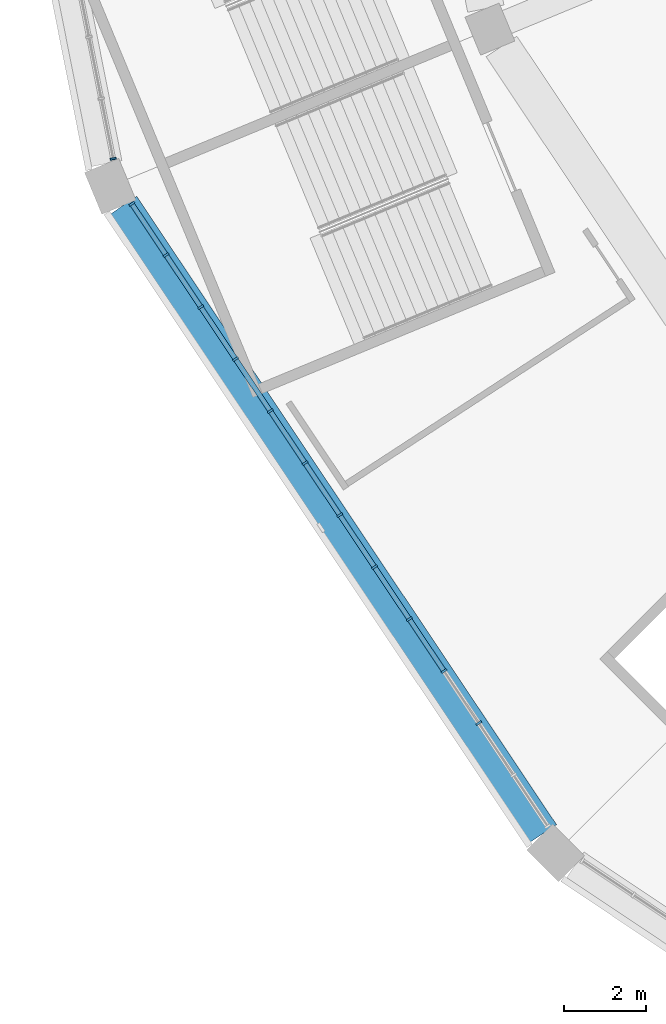
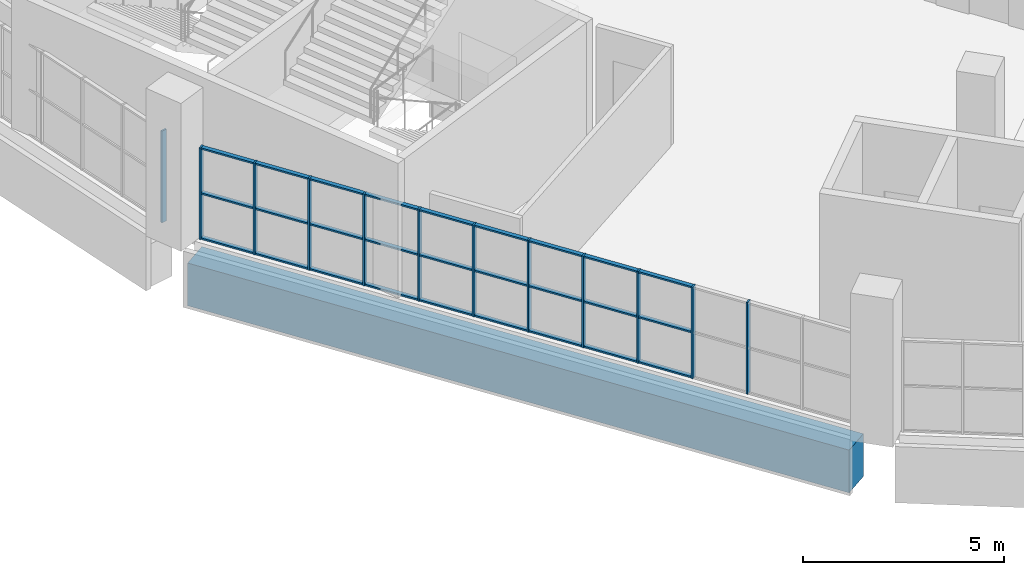
# One storey, part 3 of 199: 39 members, 1 beam, 2 elements without a shape of their own.
"""IFC4 building model written with IfcOpenShell, lengths in metres."""

from ifc_helpers import new_model, si_unit, direction, frame, origin, origin_2d, place, context, subcontext, project, spatial, rectangle, extrude, material, material_profile, profile_set, type_object, element, aggregate, save


model = new_model("IFC4")

# Units and contexts
model_context = context("Model", 3, precision=1e-05, world=origin(), true_north=direction((0.0, 1.0)))
body_context = subcontext(model_context, "Body", "Model", "MODEL_VIEW")
ifc_project = project(units=[si_unit("LENGTHUNIT", "METRE"), si_unit("AREAUNIT", "SQUARE_METRE"), si_unit("VOLUMEUNIT", "CUBIC_METRE"), si_unit("PLANEANGLEUNIT", "RADIAN"), si_unit("MASSUNIT", "GRAM", prefix="KILO")], contexts=[model_context])

# Site, building, storey
site_placement = place(None, origin())
site = spatial("IfcSite", under=ifc_project, at=site_placement, CompositionType="ELEMENT")
building_placement = place(site_placement, origin())
building = spatial("IfcBuilding", under=site, at=building_placement, Name="Ogive Plaza Stadium", CompositionType="ELEMENT")
storey_placement = place(building_placement, frame((0.0, 0.0, 4.5)))
storey = spatial("IfcBuildingStorey", under=building, at=storey_placement, Name="L01", CompositionType="ELEMENT", Elevation=4.5)

# Curtain wall, members
ifc_material_1 = material(Name="Bronze-anodised aluminium with laminated glass", Category="aluminium")
curtain_wall_type = type_object("IfcCurtainWallType", Name="Lancet curtain wall", PredefinedType="NOTDEFINED", material=ifc_material_1)
curtain_wall_1_placement = place(storey_placement, origin())
curtain_wall_1 = element("IfcCurtainWall", 1, at=curtain_wall_1_placement, inside=storey, type_object=curtain_wall_type, Name="CURTAIN WALL B19 L01", PredefinedType="NOTDEFINED")
ifc_material_2 = material(Name="Bronze-anodised aluminium", Category="aluminium")
ifc_material_profile_1 = material_profile(ifc_material_2, rectangle(XDim=0.14990234375, YDim=0.050048828125, at=origin_2d()), Name="AL 150x50")
ifc_profile_set_1 = profile_set([ifc_material_profile_1], Name="Bronze-anodised aluminium")
member_type_1 = type_object("IfcMemberType", Name="Curtain wall mullion 50x150", PredefinedType="MULLION", material=ifc_profile_set_1)
member_1_placement = place(storey_placement, frame((-71.225341796875, -84.69677734375, 0.0), z_axis=(0.0, 0.0, 1.0), x_axis=(-0.831469612303, -0.55557023302, 0.0)))
member_1 = element("IfcMember", 2, at=member_1_placement, type_object=member_type_1, Name="CW-B19-L01 mullion 3", PredefinedType="MULLION", context=body_context, shape_type="SweptSolid", body=[
    extrude(rectangle(XDim=0.14990234375, YDim=0.050048828125, at=origin_2d()), origin(), (0.0, 0.0, 1.0), 2.7900390625),
])
member_2_placement = place(storey_placement, frame((-72.071044921875, -83.430908203125, 0.0), z_axis=(0.0, 0.0, 1.0), x_axis=(-0.831469612303, -0.55557023302, 0.0)))
member_2 = element("IfcMember", 3, at=member_2_placement, type_object=member_type_1, Name="CW-B19-L01 mullion 4", PredefinedType="MULLION", context=body_context, shape_type="SweptSolid", body=[
    extrude(rectangle(XDim=0.14990234375, YDim=0.050048828125, at=origin_2d()), origin(), (0.0, 0.0, 1.0), 2.7900390625),
])
member_3_placement = place(storey_placement, frame((-72.916748046875, -82.165283203125, 0.0), z_axis=(0.0, 0.0, 1.0), x_axis=(-0.831469612303, -0.55557023302, 0.0)))
member_3 = element("IfcMember", 4, at=member_3_placement, type_object=member_type_1, Name="CW-B19-L01 mullion 5", PredefinedType="MULLION", context=body_context, shape_type="SweptSolid", body=[
    extrude(rectangle(XDim=0.14990234375, YDim=0.050048828125, at=origin_2d()), origin(), (0.0, 0.0, 1.0), 2.7900390625),
])
member_4_placement = place(storey_placement, frame((-73.7626953125, -80.8994140625, 0.0), z_axis=(0.0, 0.0, 1.0), x_axis=(-0.831469612303, -0.55557023302, 0.0)))
member_4 = element("IfcMember", 5, at=member_4_placement, type_object=member_type_1, Name="CW-B19-L01 mullion 6", PredefinedType="MULLION", context=body_context, shape_type="SweptSolid", body=[
    extrude(rectangle(XDim=0.14990234375, YDim=0.050048828125, at=origin_2d()), origin(), (0.0, 0.0, 1.0), 2.7900390625),
])
member_5_placement = place(storey_placement, frame((-74.6083984375, -79.633544921875, 0.0), z_axis=(0.0, 0.0, 1.0), x_axis=(-0.831469612303, -0.55557023302, 0.0)))
member_5 = element("IfcMember", 6, at=member_5_placement, type_object=member_type_1, Name="CW-B19-L01 mullion 7", PredefinedType="MULLION", context=body_context, shape_type="SweptSolid", body=[
    extrude(rectangle(XDim=0.14990234375, YDim=0.050048828125, at=origin_2d()), origin(), (0.0, 0.0, 1.0), 2.7900390625),
])
member_6_placement = place(storey_placement, frame((-75.4541015625, -78.367919921875, 0.0), z_axis=(0.0, 0.0, 1.0), x_axis=(-0.831469612303, -0.55557023302, 0.0)))
member_6 = element("IfcMember", 7, at=member_6_placement, type_object=member_type_1, Name="CW-B19-L01 mullion 8", PredefinedType="MULLION", context=body_context, shape_type="SweptSolid", body=[
    extrude(rectangle(XDim=0.14990234375, YDim=0.050048828125, at=origin_2d()), origin(), (0.0, 0.0, 1.0), 2.7900390625),
])
member_7_placement = place(storey_placement, frame((-76.2998046875, -77.10205078125, 0.0), z_axis=(0.0, 0.0, 1.0), x_axis=(-0.831469612303, -0.55557023302, 0.0)))
member_7 = element("IfcMember", 8, at=member_7_placement, type_object=member_type_1, Name="CW-B19-L01 mullion 9", PredefinedType="MULLION", context=body_context, shape_type="SweptSolid", body=[
    extrude(rectangle(XDim=0.14990234375, YDim=0.050048828125, at=origin_2d()), origin(), (0.0, 0.0, 1.0), 2.7900390625),
])
member_8_placement = place(storey_placement, frame((-77.145751953125, -75.836181640625, 0.0), z_axis=(0.0, 0.0, 1.0), x_axis=(-0.831469612303, -0.55557023302, 0.0)))
member_8 = element("IfcMember", 9, at=member_8_placement, type_object=member_type_1, Name="CW-B19-L01 mullion 10", PredefinedType="MULLION", context=body_context, shape_type="SweptSolid", body=[
    extrude(rectangle(XDim=0.14990234375, YDim=0.050048828125, at=origin_2d()), origin(), (0.0, 0.0, 1.0), 2.7900390625),
])
member_9_placement = place(storey_placement, frame((-77.991455078125, -74.570556640625, 0.0), z_axis=(0.0, 0.0, 1.0), x_axis=(-0.831469612303, -0.55557023302, 0.0)))
member_9 = element("IfcMember", 10, at=member_9_placement, type_object=member_type_1, Name="CW-B19-L01 mullion 11", PredefinedType="MULLION", context=body_context, shape_type="SweptSolid", body=[
    extrude(rectangle(XDim=0.14990234375, YDim=0.050048828125, at=origin_2d()), origin(), (0.0, 0.0, 1.0), 2.7900390625),
])
member_10_placement = place(storey_placement, frame((-78.837158203125, -73.3046875, 0.0), z_axis=(0.0, 0.0, 1.0), x_axis=(-0.831469612303, -0.55557023302, 0.0)))
member_10 = element("IfcMember", 11, at=member_10_placement, type_object=member_type_1, Name="CW-B19-L01 mullion 12", PredefinedType="MULLION", context=body_context, shape_type="SweptSolid", body=[
    extrude(rectangle(XDim=0.14990234375, YDim=0.050048828125, at=origin_2d()), origin(), (0.0, 0.0, 1.0), 2.7900390625),
])
member_11_placement = place(storey_placement, frame((-79.669189453125, -72.059814453125, 0.0), z_axis=(0.0, 0.0, 1.0), x_axis=(-0.831469612303, -0.55557023302, 0.0)))
member_11 = element("IfcMember", 12, at=member_11_placement, type_object=member_type_1, Name="CW-B19-L01 mullion 13", PredefinedType="MULLION", context=body_context, shape_type="SweptSolid", body=[
    extrude(rectangle(XDim=0.14990234375, YDim=0.050048828125, at=origin_2d()), origin(), (0.0, 0.0, 1.0), 2.7900390625),
])

# Curtain wall, member
curtain_wall_2_placement = place(storey_placement, origin())
curtain_wall_2 = element("IfcCurtainWall", 13, at=curtain_wall_2_placement, inside=storey, type_object=curtain_wall_type, Name="CURTAIN WALL B20 L01", PredefinedType="NOTDEFINED")
member_12_placement = place(storey_placement, frame((-80.123779296875, -70.962158203125, 0.0), z_axis=(0.0, 0.0, 1.0), x_axis=(-0.9807852804, -0.195090322033, 0.0)))
member_12 = element("IfcMember", 14, at=member_12_placement, type_object=member_type_1, Name="CW-B20-L01 mullion 1", PredefinedType="MULLION", context=body_context, shape_type="SweptSolid", body=[
    extrude(rectangle(XDim=0.14990234375, YDim=0.050048828125, at=origin_2d()), origin(), (0.0, 0.0, 1.0), 2.7900390625),
])
aggregate(curtain_wall_2, [member_12])

# Member
ifc_material_3 = material(Name="Bronze-anodised aluminium", Category="aluminium")
ifc_material_profile_2 = material_profile(ifc_material_3, rectangle(XDim=0.1201171875, YDim=0.050048828125, at=origin_2d()), Name="AL 120x50")
ifc_profile_set_2 = profile_set([ifc_material_profile_2], Name="Bronze-anodised aluminium")
member_type_2 = type_object("IfcMemberType", Name="Curtain wall transom 50x120", PredefinedType="USERDEFINED", material=ifc_profile_set_2)
member_13_placement = place(storey_placement, frame((-72.0849609375, -83.41015625, 0.02490234375), z_axis=(-0.555541835587, 0.831488586159, 0.0), x_axis=(-0.831488586159, -0.555541835587, 0.0)))
member_13 = element("IfcMember", 15, at=member_13_placement, type_object=member_type_2, Name="CW-B19-L01 transom 4.1", ObjectType="TRANSOM", PredefinedType="USERDEFINED", context=body_context, shape_type="SweptSolid", body=[
    extrude(rectangle(XDim=0.1201171875, YDim=0.050048828125, at=origin_2d()), origin(), (0.0, 0.0, 1.0), 1.47216796875),
])

member_14_placement = place(storey_placement, frame((-72.0849609375, -83.41015625, 1.39501953125), z_axis=(-0.555541835587, 0.831488586159, 0.0), x_axis=(-0.831488586159, -0.555541835587, 0.0)))
member_14 = element("IfcMember", 16, at=member_14_placement, type_object=member_type_2, Name="CW-B19-L01 transom 4.2", ObjectType="TRANSOM", PredefinedType="USERDEFINED", context=body_context, shape_type="SweptSolid", body=[
    extrude(rectangle(XDim=0.1201171875, YDim=0.050048828125, at=origin_2d()), origin(), (0.0, 0.0, 1.0), 1.47216796875),
])

member_15_placement = place(storey_placement, frame((-72.0849609375, -83.41015625, 2.764892578125), z_axis=(-0.555541835587, 0.831488586159, 0.0), x_axis=(-0.831488586159, -0.555541835587, 0.0)))
member_15 = element("IfcMember", 17, at=member_15_placement, type_object=member_type_2, Name="CW-B19-L01 transom 4.3", ObjectType="TRANSOM", PredefinedType="USERDEFINED", context=body_context, shape_type="SweptSolid", body=[
    extrude(rectangle(XDim=0.1201171875, YDim=0.050048828125, at=origin_2d()), origin(), (0.0, 0.0, 1.0), 1.47216796875),
])

member_16_placement = place(storey_placement, frame((-72.9306640625, -82.14453125, 0.02490234375), z_axis=(-0.555579876157, 0.831463168883, 0.0), x_axis=(-0.831463168883, -0.555579876157, 0.0)))
member_16 = element("IfcMember", 18, at=member_16_placement, type_object=member_type_2, Name="CW-B19-L01 transom 5.1", ObjectType="TRANSOM", PredefinedType="USERDEFINED", context=body_context, shape_type="SweptSolid", body=[
    extrude(rectangle(XDim=0.1201171875, YDim=0.050048828125, at=origin_2d()), origin(), (0.0, 0.0, 1.0), 1.47265625),
])

member_17_placement = place(storey_placement, frame((-72.9306640625, -82.14453125, 1.39501953125), z_axis=(-0.555579876157, 0.831463168883, 0.0), x_axis=(-0.831463168883, -0.555579876157, 0.0)))
member_17 = element("IfcMember", 19, at=member_17_placement, type_object=member_type_2, Name="CW-B19-L01 transom 5.2", ObjectType="TRANSOM", PredefinedType="USERDEFINED", context=body_context, shape_type="SweptSolid", body=[
    extrude(rectangle(XDim=0.1201171875, YDim=0.050048828125, at=origin_2d()), origin(), (0.0, 0.0, 1.0), 1.47265625),
])

member_18_placement = place(storey_placement, frame((-72.9306640625, -82.14453125, 2.764892578125), z_axis=(-0.555579876157, 0.831463168883, 0.0), x_axis=(-0.831463168883, -0.555579876157, 0.0)))
member_18 = element("IfcMember", 20, at=member_18_placement, type_object=member_type_2, Name="CW-B19-L01 transom 5.3", ObjectType="TRANSOM", PredefinedType="USERDEFINED", context=body_context, shape_type="SweptSolid", body=[
    extrude(rectangle(XDim=0.1201171875, YDim=0.050048828125, at=origin_2d()), origin(), (0.0, 0.0, 1.0), 1.47265625),
])

member_19_placement = place(storey_placement, frame((-73.7763671875, -80.878662109375, 0.02490234375), z_axis=(-0.555656472512, 0.831411982446, 0.0), x_axis=(-0.831411982446, -0.555656472512, 0.0)))
member_19 = element("IfcMember", 21, at=member_19_placement, type_object=member_type_2, Name="CW-B19-L01 transom 6.1", ObjectType="TRANSOM", PredefinedType="USERDEFINED", context=body_context, shape_type="SweptSolid", body=[
    extrude(rectangle(XDim=0.1201171875, YDim=0.050048828125, at=origin_2d()), origin(), (0.0, 0.0, 1.0), 1.472412109375),
])

member_20_placement = place(storey_placement, frame((-73.7763671875, -80.878662109375, 1.39501953125), z_axis=(-0.555656472512, 0.831411982446, 0.0), x_axis=(-0.831411982446, -0.555656472512, 0.0)))
member_20 = element("IfcMember", 22, at=member_20_placement, type_object=member_type_2, Name="CW-B19-L01 transom 6.2", ObjectType="TRANSOM", PredefinedType="USERDEFINED", context=body_context, shape_type="SweptSolid", body=[
    extrude(rectangle(XDim=0.1201171875, YDim=0.050048828125, at=origin_2d()), origin(), (0.0, 0.0, 1.0), 1.472412109375),
])

member_21_placement = place(storey_placement, frame((-73.7763671875, -80.878662109375, 2.764892578125), z_axis=(-0.555656472512, 0.831411982446, 0.0), x_axis=(-0.831411982446, -0.555656472512, 0.0)))
member_21 = element("IfcMember", 23, at=member_21_placement, type_object=member_type_2, Name="CW-B19-L01 transom 6.3", ObjectType="TRANSOM", PredefinedType="USERDEFINED", context=body_context, shape_type="SweptSolid", body=[
    extrude(rectangle(XDim=0.1201171875, YDim=0.050048828125, at=origin_2d()), origin(), (0.0, 0.0, 1.0), 1.472412109375),
])

member_22_placement = place(storey_placement, frame((-74.622314453125, -79.61279296875, 0.02490234375), z_axis=(-0.555541835587, 0.831488586159, 0.0), x_axis=(-0.831488586159, -0.555541835587, 0.0)))
member_22 = element("IfcMember", 24, at=member_22_placement, type_object=member_type_2, Name="CW-B19-L01 transom 7.1", ObjectType="TRANSOM", PredefinedType="USERDEFINED", context=body_context, shape_type="SweptSolid", body=[
    extrude(rectangle(XDim=0.1201171875, YDim=0.050048828125, at=origin_2d()), origin(), (0.0, 0.0, 1.0), 1.47216796875),
])

member_23_placement = place(storey_placement, frame((-74.622314453125, -79.61279296875, 1.39501953125), z_axis=(-0.555541835587, 0.831488586159, 0.0), x_axis=(-0.831488586159, -0.555541835587, 0.0)))
member_23 = element("IfcMember", 25, at=member_23_placement, type_object=member_type_2, Name="CW-B19-L01 transom 7.2", ObjectType="TRANSOM", PredefinedType="USERDEFINED", context=body_context, shape_type="SweptSolid", body=[
    extrude(rectangle(XDim=0.1201171875, YDim=0.050048828125, at=origin_2d()), origin(), (0.0, 0.0, 1.0), 1.47216796875),
])

member_24_placement = place(storey_placement, frame((-74.622314453125, -79.61279296875, 2.764892578125), z_axis=(-0.555541835587, 0.831488586159, 0.0), x_axis=(-0.831488586159, -0.555541835587, 0.0)))
member_24 = element("IfcMember", 26, at=member_24_placement, type_object=member_type_2, Name="CW-B19-L01 transom 7.3", ObjectType="TRANSOM", PredefinedType="USERDEFINED", context=body_context, shape_type="SweptSolid", body=[
    extrude(rectangle(XDim=0.1201171875, YDim=0.050048828125, at=origin_2d()), origin(), (0.0, 0.0, 1.0), 1.47216796875),
])

member_25_placement = place(storey_placement, frame((-75.468017578125, -78.34716796875, 0.02490234375), z_axis=(-0.555579876157, 0.831463168883, 0.0), x_axis=(-0.831463168883, -0.555579876157, 0.0)))
member_25 = element("IfcMember", 27, at=member_25_placement, type_object=member_type_2, Name="CW-B19-L01 transom 8.1", ObjectType="TRANSOM", PredefinedType="USERDEFINED", context=body_context, shape_type="SweptSolid", body=[
    extrude(rectangle(XDim=0.1201171875, YDim=0.050048828125, at=origin_2d()), origin(), (0.0, 0.0, 1.0), 1.47265625),
])

member_26_placement = place(storey_placement, frame((-75.468017578125, -78.34716796875, 1.39501953125), z_axis=(-0.555579876157, 0.831463168883, 0.0), x_axis=(-0.831463168883, -0.555579876157, 0.0)))
member_26 = element("IfcMember", 28, at=member_26_placement, type_object=member_type_2, Name="CW-B19-L01 transom 8.2", ObjectType="TRANSOM", PredefinedType="USERDEFINED", context=body_context, shape_type="SweptSolid", body=[
    extrude(rectangle(XDim=0.1201171875, YDim=0.050048828125, at=origin_2d()), origin(), (0.0, 0.0, 1.0), 1.47265625),
])

member_27_placement = place(storey_placement, frame((-75.468017578125, -78.34716796875, 2.764892578125), z_axis=(-0.555579876157, 0.831463168883, 0.0), x_axis=(-0.831463168883, -0.555579876157, 0.0)))
member_27 = element("IfcMember", 29, at=member_27_placement, type_object=member_type_2, Name="CW-B19-L01 transom 8.3", ObjectType="TRANSOM", PredefinedType="USERDEFINED", context=body_context, shape_type="SweptSolid", body=[
    extrude(rectangle(XDim=0.1201171875, YDim=0.050048828125, at=origin_2d()), origin(), (0.0, 0.0, 1.0), 1.47265625),
])

member_28_placement = place(storey_placement, frame((-76.313720703125, -77.081298828125, 0.02490234375), z_axis=(-0.555656472512, 0.831411982446, 0.0), x_axis=(-0.831411982446, -0.555656472512, 0.0)))
member_28 = element("IfcMember", 30, at=member_28_placement, type_object=member_type_2, Name="CW-B19-L01 transom 9.1", ObjectType="TRANSOM", PredefinedType="USERDEFINED", context=body_context, shape_type="SweptSolid", body=[
    extrude(rectangle(XDim=0.1201171875, YDim=0.050048828125, at=origin_2d()), origin(), (0.0, 0.0, 1.0), 1.472412109375),
])

member_29_placement = place(storey_placement, frame((-76.313720703125, -77.081298828125, 1.39501953125), z_axis=(-0.555656472512, 0.831411982446, 0.0), x_axis=(-0.831411982446, -0.555656472512, 0.0)))
member_29 = element("IfcMember", 31, at=member_29_placement, type_object=member_type_2, Name="CW-B19-L01 transom 9.2", ObjectType="TRANSOM", PredefinedType="USERDEFINED", context=body_context, shape_type="SweptSolid", body=[
    extrude(rectangle(XDim=0.1201171875, YDim=0.050048828125, at=origin_2d()), origin(), (0.0, 0.0, 1.0), 1.472412109375),
])

member_30_placement = place(storey_placement, frame((-76.313720703125, -77.081298828125, 2.764892578125), z_axis=(-0.555656472512, 0.831411982446, 0.0), x_axis=(-0.831411982446, -0.555656472512, 0.0)))
member_30 = element("IfcMember", 32, at=member_30_placement, type_object=member_type_2, Name="CW-B19-L01 transom 9.3", ObjectType="TRANSOM", PredefinedType="USERDEFINED", context=body_context, shape_type="SweptSolid", body=[
    extrude(rectangle(XDim=0.1201171875, YDim=0.050048828125, at=origin_2d()), origin(), (0.0, 0.0, 1.0), 1.472412109375),
])

member_31_placement = place(storey_placement, frame((-77.15966796875, -75.8154296875, 0.02490234375), z_axis=(-0.555541835587, 0.831488586159, 0.0), x_axis=(-0.831488586159, -0.555541835587, 0.0)))
member_31 = element("IfcMember", 33, at=member_31_placement, type_object=member_type_2, Name="CW-B19-L01 transom 10.1", ObjectType="TRANSOM", PredefinedType="USERDEFINED", context=body_context, shape_type="SweptSolid", body=[
    extrude(rectangle(XDim=0.1201171875, YDim=0.050048828125, at=origin_2d()), origin(), (0.0, 0.0, 1.0), 1.47216796875),
])

member_32_placement = place(storey_placement, frame((-77.15966796875, -75.8154296875, 1.39501953125), z_axis=(-0.555541835587, 0.831488586159, 0.0), x_axis=(-0.831488586159, -0.555541835587, 0.0)))
member_32 = element("IfcMember", 34, at=member_32_placement, type_object=member_type_2, Name="CW-B19-L01 transom 10.2", ObjectType="TRANSOM", PredefinedType="USERDEFINED", context=body_context, shape_type="SweptSolid", body=[
    extrude(rectangle(XDim=0.1201171875, YDim=0.050048828125, at=origin_2d()), origin(), (0.0, 0.0, 1.0), 1.47216796875),
])

member_33_placement = place(storey_placement, frame((-77.15966796875, -75.8154296875, 2.764892578125), z_axis=(-0.555541835587, 0.831488586159, 0.0), x_axis=(-0.831488586159, -0.555541835587, 0.0)))
member_33 = element("IfcMember", 35, at=member_33_placement, type_object=member_type_2, Name="CW-B19-L01 transom 10.3", ObjectType="TRANSOM", PredefinedType="USERDEFINED", context=body_context, shape_type="SweptSolid", body=[
    extrude(rectangle(XDim=0.1201171875, YDim=0.050048828125, at=origin_2d()), origin(), (0.0, 0.0, 1.0), 1.47216796875),
])

member_34_placement = place(storey_placement, frame((-78.00537109375, -74.5498046875, 0.02490234375), z_axis=(-0.555465240925, 0.83153975619, 0.0), x_axis=(-0.83153975619, -0.555465240925, 0.0)))
member_34 = element("IfcMember", 36, at=member_34_placement, type_object=member_type_2, Name="CW-B19-L01 transom 11.1", ObjectType="TRANSOM", PredefinedType="USERDEFINED", context=body_context, shape_type="SweptSolid", body=[
    extrude(rectangle(XDim=0.1201171875, YDim=0.050048828125, at=origin_2d()), origin(), (0.0, 0.0, 1.0), 1.472412109375),
])

member_35_placement = place(storey_placement, frame((-78.00537109375, -74.5498046875, 1.39501953125), z_axis=(-0.555465240925, 0.83153975619, 0.0), x_axis=(-0.83153975619, -0.555465240925, 0.0)))
member_35 = element("IfcMember", 37, at=member_35_placement, type_object=member_type_2, Name="CW-B19-L01 transom 11.2", ObjectType="TRANSOM", PredefinedType="USERDEFINED", context=body_context, shape_type="SweptSolid", body=[
    extrude(rectangle(XDim=0.1201171875, YDim=0.050048828125, at=origin_2d()), origin(), (0.0, 0.0, 1.0), 1.472412109375),
])

member_36_placement = place(storey_placement, frame((-78.00537109375, -74.5498046875, 2.764892578125), z_axis=(-0.555465240925, 0.83153975619, 0.0), x_axis=(-0.83153975619, -0.555465240925, 0.0)))
member_36 = element("IfcMember", 38, at=member_36_placement, type_object=member_type_2, Name="CW-B19-L01 transom 11.3", ObjectType="TRANSOM", PredefinedType="USERDEFINED", context=body_context, shape_type="SweptSolid", body=[
    extrude(rectangle(XDim=0.1201171875, YDim=0.050048828125, at=origin_2d()), origin(), (0.0, 0.0, 1.0), 1.472412109375),
])

member_37_placement = place(storey_placement, frame((-78.85107421875, -73.283935546875, 0.02490234375), z_axis=(-0.555634077892, 0.831426948977, 0.0), x_axis=(-0.831426948977, -0.555634077892, 0.0)))
member_37 = element("IfcMember", 39, at=member_37_placement, type_object=member_type_2, Name="CW-B19-L01 transom 12.1", ObjectType="TRANSOM", PredefinedType="USERDEFINED", context=body_context, shape_type="SweptSolid", body=[
    extrude(rectangle(XDim=0.1201171875, YDim=0.050048828125, at=origin_2d()), origin(), (0.0, 0.0, 1.0), 1.447265625),
])

member_38_placement = place(storey_placement, frame((-78.85107421875, -73.283935546875, 1.39501953125), z_axis=(-0.555634077892, 0.831426948977, 0.0), x_axis=(-0.831426948977, -0.555634077892, 0.0)))
member_38 = element("IfcMember", 40, at=member_38_placement, type_object=member_type_2, Name="CW-B19-L01 transom 12.2", ObjectType="TRANSOM", PredefinedType="USERDEFINED", context=body_context, shape_type="SweptSolid", body=[
    extrude(rectangle(XDim=0.1201171875, YDim=0.050048828125, at=origin_2d()), origin(), (0.0, 0.0, 1.0), 1.447265625),
])

member_39_placement = place(storey_placement, frame((-78.85107421875, -73.283935546875, 2.764892578125), z_axis=(-0.555634077892, 0.831426948977, 0.0), x_axis=(-0.831426948977, -0.555634077892, 0.0)))
member_39 = element("IfcMember", 41, at=member_39_placement, type_object=member_type_2, Name="CW-B19-L01 transom 12.3", ObjectType="TRANSOM", PredefinedType="USERDEFINED", context=body_context, shape_type="SweptSolid", body=[
    extrude(rectangle(XDim=0.1201171875, YDim=0.050048828125, at=origin_2d()), origin(), (0.0, 0.0, 1.0), 1.447265625),
])

aggregate(curtain_wall_1, [member_1, member_2, member_3, member_4, member_5, member_6, member_7, member_8, member_9, member_10, member_11, member_13, member_14, member_15, member_16, member_17, member_18, member_19, member_20, member_21, member_22, member_23, member_24, member_25, member_26, member_27, member_28, member_29, member_30, member_31, member_32, member_33, member_34, member_35, member_36, member_37, member_38, member_39])

# Beam
ifc_material_4 = material(Name="Concrete C40/50", Category="concrete")
ifc_material_profile_3 = material_profile(ifc_material_4, rectangle(XDim=0.800048828125, YDim=1.300048828125, at=origin_2d()), Name="RC 800x1300")
ifc_profile_set_3 = profile_set([ifc_material_profile_3], Name="Concrete C40/50")
beam_type = type_object("IfcBeamType", Name="RC spandrel beam 800x1300", PredefinedType="SPANDREL", material=ifc_profile_set_3)
beam_placement = place(storey_placement, frame((-69.6669921875, -87.38916015625, -1.06005859375), z_axis=(-0.555557833169, 0.831477897484, 0.0), x_axis=(-0.831477897484, -0.555557833169, 0.0)))
element("IfcBeam", 42, at=beam_placement, inside=storey, type_object=beam_type, Name="Ring beam F5 L01 B19", PredefinedType="SPANDREL", context=body_context, shape_type="SweptSolid", body=[
    extrude(rectangle(XDim=0.800048828125, YDim=1.300048828125, at=origin_2d()), origin(), (0.0, 0.0, 1.0), 18.387451171875),
])

save(model, "model.ifc")
